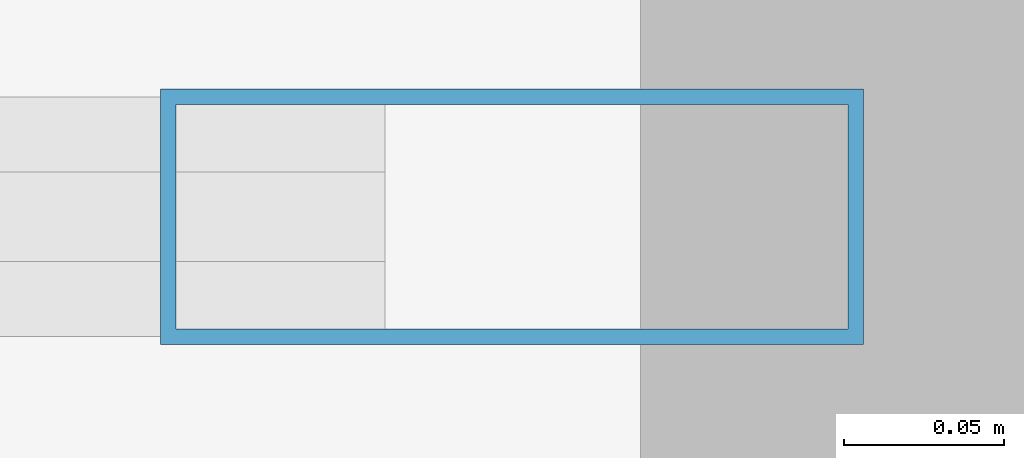
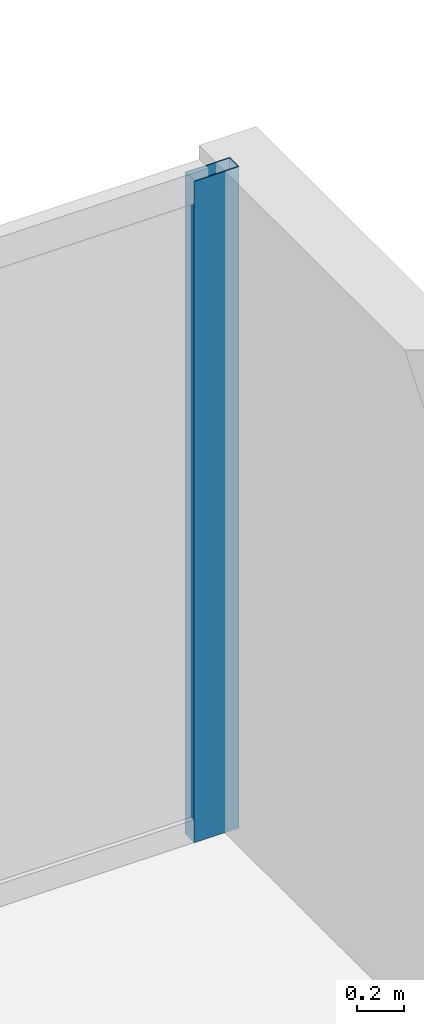
# One storey, part 14 of 26: 1 member, 1 element without a shape of its own.
"""IFC4 building model written with IfcOpenShell, lengths in metres."""

import ifcopenshell
import ifcopenshell.guid

model = None  # the IFC model being written
_history = None  # IfcOwnerHistory: only IFC2X3 demands one
_inside = {}  # id of a spatial element -> (the spatial element, [elements in it])
_under = {}  # id of a project, library or spatial element -> (it, [spatial elements below it])
_declared = {}  # id of a project -> (the project, [libraries it declares])
_typed = {}  # id of a type object -> (the type object, [elements of that type])
_made_of = {}  # id of a material, layer set ... -> (it, [elements and type objects made of it])


def new_model(schema):
    """Start an empty IFC model of exactly this schema.

    Asked for "IFC4X3", IfcOpenShell would pick the latest addendum, in which some entities
    have other attributes; the version numbers below select the first issue.
    IFC2X3 requires an IfcOwnerHistory on every rooted entity: one is made here for all.
    """
    global model, _history
    if schema == "IFC4X3":
        model = ifcopenshell.file(schema_version=(4, 3, 0, 0))
    else:
        model = ifcopenshell.file(schema=schema)
    _inside.clear()
    _under.clear()
    _declared.clear()
    _typed.clear()
    _made_of.clear()
    _history = None
    if model.schema == "IFC2X3":
        org = make("IfcOrganization", Name="unknown")
        user = make(
            "IfcPersonAndOrganization",
            ThePerson=make("IfcPerson", FamilyName="unknown"),
            TheOrganization=org,
        )
        app = make(
            "IfcApplication",
            ApplicationDeveloper=org,
            Version="unknown",
            ApplicationFullName="unknown",
            ApplicationIdentifier="unknown",
        )
        _history = make(
            "IfcOwnerHistory",
            OwningUser=user,
            OwningApplication=app,
            ChangeAction="ADDED",
            CreationDate=0,
        )
    return model


def make(cls, **values):
    """One entity of the class cls with the attributes given. An attribute that is None is left unset."""
    return model.create_entity(
        cls, **{name: value for name, value in values.items() if value is not None}
    )


def rooted(cls, **values):
    """An entity with a GlobalId (a new one), such as an element, a storey or a relation."""
    return make(cls, GlobalId=ifcopenshell.guid.new(), OwnerHistory=_history, **values)


def si_unit(unit_type, name, prefix=None):
    """IfcSIUnit, for example si_unit("LENGTHUNIT", "METRE", prefix="MILLI")."""
    return make("IfcSIUnit", UnitType=unit_type, Prefix=prefix, Name=name)


def assignment(units):
    """IfcUnitAssignment: the units of a project."""
    return None if units is None else make("IfcUnitAssignment", Units=units)


def point(xyz):
    """IfcCartesianPoint."""
    return None if xyz is None else make("IfcCartesianPoint", Coordinates=xyz)


def direction(xyz):
    """IfcDirection."""
    return None if xyz is None else make("IfcDirection", DirectionRatios=xyz)


def frame(location, z_axis=None, x_axis=None):
    """IfcAxis2Placement3D, a coordinate frame: its origin and axes. An axis left out is left unset."""
    return make(
        "IfcAxis2Placement3D",
        Location=point(location),
        Axis=direction(z_axis),
        RefDirection=direction(x_axis),
    )


def frame_2d(location, x_axis=None):
    """IfcAxis2Placement2D, a coordinate frame in the plane: its origin and x axis."""
    return make(
        "IfcAxis2Placement2D", Location=point(location), RefDirection=direction(x_axis)
    )


def origin():
    """The frame at (0, 0, 0) with its axes left unset."""
    return frame((0.0, 0.0, 0.0))


def origin_with_axes():
    """The frame at (0, 0, 0) with the z axis (0, 0, 1) and the x axis (1, 0, 0) written out."""
    return frame((0.0, 0.0, 0.0), z_axis=(0.0, 0.0, 1.0), x_axis=(1.0, 0.0, 0.0))


def origin_2d():
    """The frame at (0, 0) in the plane with its x axis left unset."""
    return frame_2d((0.0, 0.0))


def place(relative_to, where):
    """IfcLocalPlacement: puts the frame where relative to a parent placement (None: the world)."""
    return make(
        "IfcLocalPlacement", PlacementRelTo=relative_to, RelativePlacement=where
    )


def context(
    kind, dimensions, precision=None, world=None, true_north=None, identifier=None
):
    """IfcGeometricRepresentationContext, for example the 3D "Model" context."""
    return make(
        "IfcGeometricRepresentationContext",
        ContextIdentifier=identifier,
        ContextType=kind,
        CoordinateSpaceDimension=dimensions,
        Precision=precision,
        WorldCoordinateSystem=world,
        TrueNorth=true_north,
    )


def subcontext(parent, identifier, kind, view, scale=None):
    """IfcGeometricRepresentationSubContext, for example "Body" below "Model"."""
    return make(
        "IfcGeometricRepresentationSubContext",
        ContextIdentifier=identifier,
        ContextType=kind,
        ParentContext=parent,
        TargetScale=scale,
        TargetView=view,
    )


def project(units=None, contexts=None):
    """IfcProject with its units and contexts."""
    return rooted(
        "IfcProject",
        Name="project",
        RepresentationContexts=contexts,
        UnitsInContext=assignment(units),
    )


def spatial(cls, under=None, at=None, **own):
    """A site, building, storey or space (cls), placed at a placement, below another one or the project."""
    s = rooted(cls, ObjectPlacement=at, **own)
    if under is not None:
        _under.setdefault(under.id(), (under, []))[1].append(s)
    return s


def profile(cls, at=None, kind="AREA", **sizes):
    """A parametric profile (cls). Its sizes go by their IFC names, for example OverallWidth=200.0."""
    return make(cls, ProfileType=kind, Position=at, **sizes)


def hollow_rectangle(**sizes):
    """IfcRectangleHollowProfileDef."""
    return profile("IfcRectangleHollowProfileDef", **sizes)


def extrude(swept, where, along, depth):
    """IfcExtrudedAreaSolid: the profile swept, set in the frame where, extruded along a direction by depth."""
    return make(
        "IfcExtrudedAreaSolid",
        SweptArea=swept,
        Position=where,
        ExtrudedDirection=direction(along),
        Depth=depth,
    )


def shape(context_of_items, identifier, shape_type, items):
    """IfcShapeRepresentation: the items that make up one representation, for example the "Body"."""
    return make(
        "IfcShapeRepresentation",
        ContextOfItems=context_of_items,
        RepresentationIdentifier=identifier,
        RepresentationType=shape_type,
        Items=items,
    )


def source(mapping_origin, context_of_items, identifier, shape_type, items):
    """IfcRepresentationMap: a shape defined once, which mapped items show again and again."""
    return make(
        "IfcRepresentationMap",
        MappingOrigin=mapping_origin,
        MappedRepresentation=shape(context_of_items, identifier, shape_type, items),
    )


def transform(
    local_origin,
    x_axis=None,
    y_axis=None,
    z_axis=None,
    scale=None,
    scale2=None,
    scale3=None,
    uniform=True,
):
    """IfcCartesianTransformationOperator3D, or its non-uniform kind. x_axis, y_axis, z_axis: its Axis1, 2, 3."""
    if uniform:
        return make(
            "IfcCartesianTransformationOperator3D",
            Axis1=direction(x_axis),
            Axis2=direction(y_axis),
            LocalOrigin=point(local_origin),
            Scale=scale,
            Axis3=direction(z_axis),
        )
    return make(
        "IfcCartesianTransformationOperator3DnonUniform",
        Axis1=direction(x_axis),
        Axis2=direction(y_axis),
        LocalOrigin=point(local_origin),
        Scale=scale,
        Axis3=direction(z_axis),
        Scale2=scale2,
        Scale3=scale3,
    )


def mapped(mapping_source, mapping_target):
    """IfcMappedItem: shows the shape of a source again, moved by a transform."""
    return make(
        "IfcMappedItem", MappingSource=mapping_source, MappingTarget=mapping_target
    )


def material(Name=None, Category=None):
    """IfcMaterial."""
    return make("IfcMaterial", Name=Name, Category=Category)


def layer(
    of_material, thickness, ventilated=None, Name=None, Category=None, Priority=None
):
    """IfcMaterialLayer: one layer of a wall or slab, of a material (None: an air gap)."""
    return make(
        "IfcMaterialLayer",
        Material=of_material,
        LayerThickness=thickness,
        IsVentilated=ventilated,
        Name=Name,
        Category=Category,
        Priority=Priority,
    )


def layer_set(layers, Name=None):
    """IfcMaterialLayerSet."""
    return make("IfcMaterialLayerSet", MaterialLayers=layers, LayerSetName=Name)


def material_profile(
    of_material, cross_section, Name=None, Category=None, Priority=None
):
    """IfcMaterialProfile: a cross section and its material."""
    return make(
        "IfcMaterialProfile",
        Name=Name,
        Material=of_material,
        Profile=cross_section,
        Priority=Priority,
        Category=Category,
    )


def profile_set(profiles, Name=None, composite=None):
    """IfcMaterialProfileSet."""
    return make(
        "IfcMaterialProfileSet",
        Name=Name,
        MaterialProfiles=profiles,
        CompositeProfile=composite,
    )


def made_of(thing, what):
    """Note that an element or type object is made of a material, layer set ...; save() writes the relation."""
    if what is not None:
        _made_of.setdefault(what.id(), (what, []))[1].append(thing)
    return thing


def type_object(cls, material=None, **own):
    """A type object (cls), such as IfcWallType, which elements share."""
    return made_of(rooted(cls, **own), material)


def element(
    cls,
    number,
    at=None,
    inside=None,
    cuts=None,
    type_object=None,
    material=None,
    context=None,
    identifier="Body",
    shape_type=None,
    held_by="IfcProductDefinitionShape",
    body=None,
    shapes=None,
    **own,
):
    """One element of the class cls, such as IfcWall. Its Tag is "e" and its number.

    at: its placement. inside: the storey or other place that contains it. cuts: it is an
    opening in that element (IfcRelVoidsElement). A single representation is given by context,
    identifier, shape_type and body (its items); several are given by shapes. held_by: the class
    of the entity that holds the representations. save() writes the other relations.
    """
    e = rooted(cls, Tag="e%d" % number, ObjectPlacement=at, **own)
    if body is not None:
        shapes = [shape(context, identifier, shape_type, body)]
    if shapes is not None:
        e.Representation = make(held_by, Representations=shapes)
    if inside is not None:
        _inside.setdefault(inside.id(), (inside, []))[1].append(e)
    if cuts is not None:
        rooted(
            "IfcRelVoidsElement", RelatingBuildingElement=cuts, RelatedOpeningElement=e
        )
    if type_object is not None:
        _typed.setdefault(type_object.id(), (type_object, []))[1].append(e)
    return made_of(e, material)


def aggregate(whole, parts):
    """IfcRelAggregates: a whole, such as a stair, and the parts it consists of."""
    return rooted("IfcRelAggregates", RelatingObject=whole, RelatedObjects=parts)


def save(model, path):
    """Write the relations noted so far, then the file.

    IfcRelAggregates (storeys below a building ...), IfcRelContainedInSpatialStructure (elements
    in a storey), IfcRelDefinesByType, IfcRelAssociatesMaterial and IfcRelDeclares: one each for
    every whole, place, type object, material and project.
    """
    for whole, parts in _under.values():
        aggregate(whole, parts)
    for where, things in _inside.values():
        rooted(
            "IfcRelContainedInSpatialStructure",
            RelatedElements=things,
            RelatingStructure=where,
        )
    for kind, things in _typed.values():
        rooted("IfcRelDefinesByType", RelatedObjects=things, RelatingType=kind)
    for what, things in _made_of.values():
        rooted("IfcRelAssociatesMaterial", RelatedObjects=things, RelatingMaterial=what)
    for by, libraries in _declared.values():
        rooted("IfcRelDeclares", RelatingContext=by, RelatedDefinitions=libraries)
    model.write(path)


model = new_model("IFC4")

# Units and contexts
model_context = context("Model", 3, precision=1e-05, world=origin(), true_north=direction((0.0, 1.0)))
body_context = subcontext(model_context, "Body", "Model", "MODEL_VIEW")
ifc_project = project(units=[si_unit("LENGTHUNIT", "METRE"), si_unit("AREAUNIT", "SQUARE_METRE"), si_unit("VOLUMEUNIT", "CUBIC_METRE"), si_unit("PLANEANGLEUNIT", "RADIAN"), si_unit("MASSUNIT", "GRAM", prefix="KILO")], contexts=[model_context])

# Site, building, storey
site_placement = place(None, origin())
site = spatial("IfcSite", under=ifc_project, at=site_placement, CompositionType="ELEMENT")
building_placement = place(site_placement, origin())
building = spatial("IfcBuilding", under=site, at=building_placement, Name="Kolvaren Waterfront Exchange", CompositionType="ELEMENT")
storey_placement = place(building_placement, frame((0.0, 0.0, 195.60009765625)))
storey = spatial("IfcBuildingStorey", under=building, at=storey_placement, Name="L50", CompositionType="ELEMENT", Elevation=195.60009765625)

# Curtain wall, member
ifc_material_1 = material(Name="Anodised bronze aluminium 6063-T6", Category="aluminium")
ifc_layer = layer(ifc_material_1, 0.219970703125, Name="Anodised bronze aluminium 6063-T6")
ifc_layer_set = layer_set([ifc_layer], Name="Anodised bronze aluminium 6063-T6")
curtain_wall_type = type_object("IfcCurtainWallType", Name="ARC-CW-SYS1", PredefinedType="USERDEFINED", material=ifc_layer_set)
curtain_wall_placement = place(storey_placement, origin())
curtain_wall = element("IfcCurtainWall", 1, at=curtain_wall_placement, inside=storey, type_object=curtain_wall_type, Name="L50 stick curtain wall CW1 (CW-L50-EN)", ObjectType="STICK CURTAIN WALL", PredefinedType="USERDEFINED")
ifc_material_2 = material(Name="Anodised aluminium 6063-T6", Category="aluminium")
ifc_material_profile = material_profile(ifc_material_2, hollow_rectangle(XDim=0.080078125, YDim=0.219970703125, WallThickness=0.0048828125, at=origin_2d()), Name="ALU-MUL-220x80x5")
ifc_profile_set = profile_set([ifc_material_profile], Name="Anodised aluminium 6063-T6")
member_type = type_object("IfcMemberType", Name="ARC-CWM-220", PredefinedType="MULLION", material=ifc_profile_set)
shared_shape = source(origin_with_axes(), body_context, "Body", "SweptSolid", [
    extrude(hollow_rectangle(XDim=0.080078125, YDim=0.219970703125, WallThickness=0.0048828125, at=origin_2d()), origin(), (0.0, 0.0, 1.0), 3.419921875),
])
member_placement = place(storey_placement, frame((54.659912109375, 20.9599609375, 0.0), z_axis=(0.0, 0.0, 1.0), x_axis=(0.0, 1.0, 0.0)))
member = element("IfcMember", 2, at=member_placement, type_object=member_type, Name="CW1 mullion 5", PredefinedType="MULLION", context=body_context, shape_type="MappedRepresentation", body=[
    mapped(shared_shape, transform((0.0, 0.0, 0.0), x_axis=(1.0, 0.0, 0.0), y_axis=(0.0, 1.0, 0.0), z_axis=(0.0, 0.0, 1.0), scale=1.0)),
])
aggregate(curtain_wall, [member])

save(model, "model.ifc")
